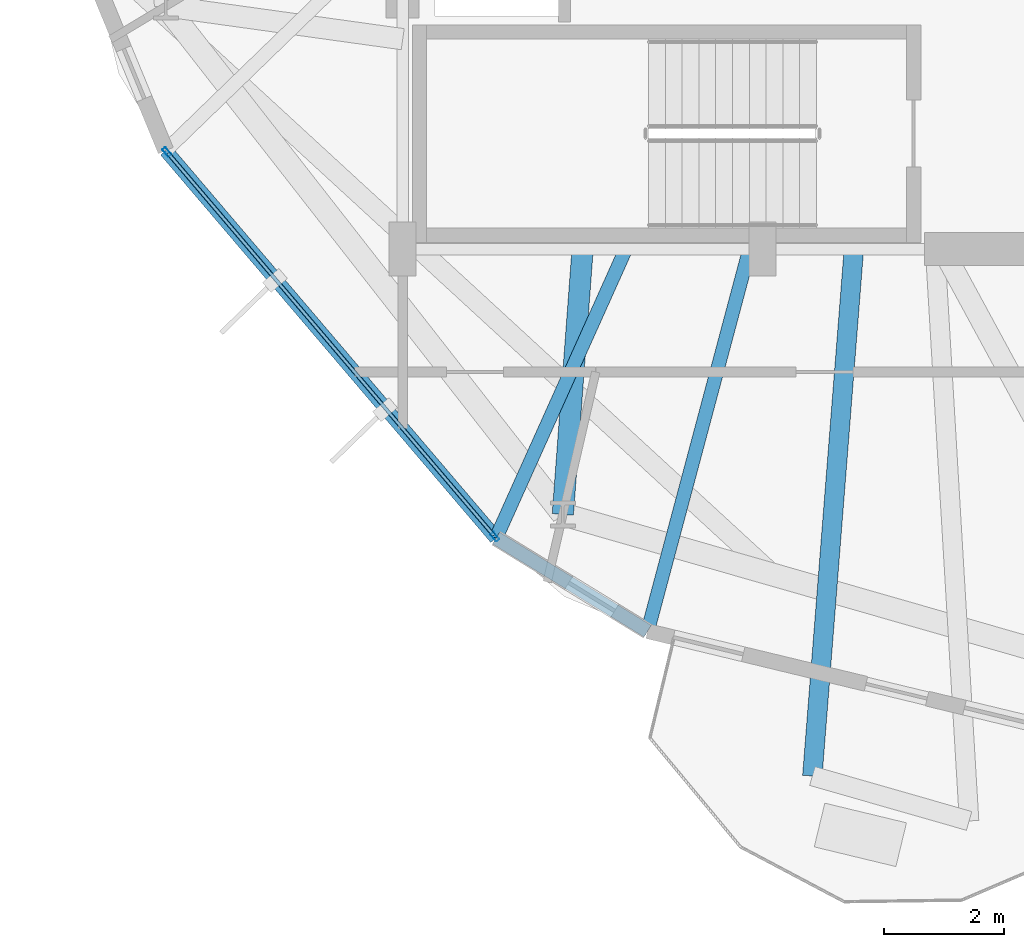
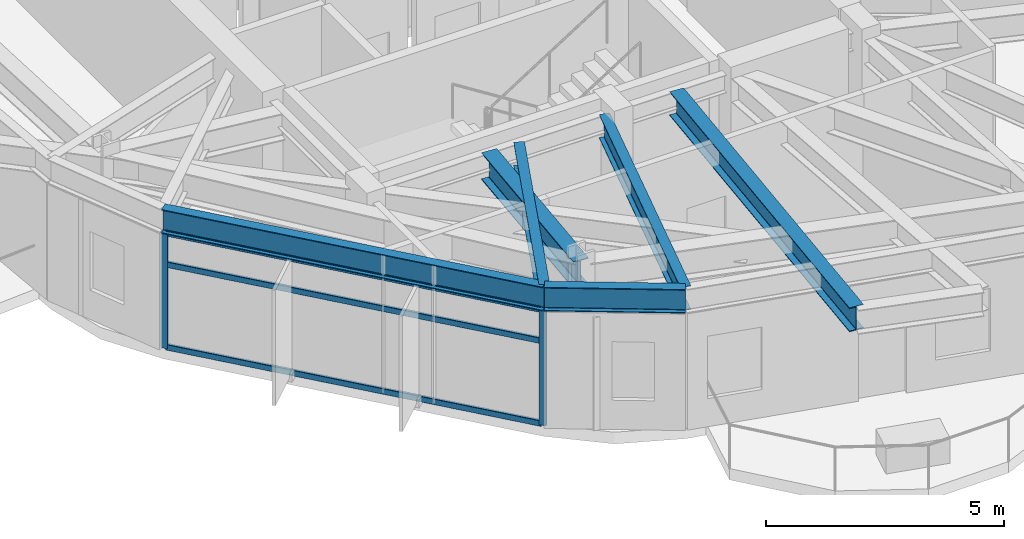
# One storey, part 2 of 21: 6 beams, 5 members, 1 element without a shape of its own.
"""IFC4 building model written with IfcOpenShell, lengths in metres."""

from ifc_helpers import new_model, si_unit, direction, frame, origin, origin_2d, place, context, subcontext, project, spatial, hollow_rectangle, i_section, extrude, material, layer, layer_set, material_profile, profile_set, type_object, element, aggregate, save


model = new_model("IFC4")

# Units and contexts
model_context = context("Model", 3, precision=1e-05, world=origin(), true_north=direction((0.0, 1.0)))
body_context = subcontext(model_context, "Body", "Model", "MODEL_VIEW")
ifc_project = project(units=[si_unit("LENGTHUNIT", "METRE"), si_unit("AREAUNIT", "SQUARE_METRE"), si_unit("VOLUMEUNIT", "CUBIC_METRE"), si_unit("PLANEANGLEUNIT", "RADIAN"), si_unit("MASSUNIT", "GRAM", prefix="KILO")], contexts=[model_context])

# Site, building, storey
site_placement = place(None, origin())
site = spatial("IfcSite", under=ifc_project, at=site_placement, CompositionType="ELEMENT")
building_placement = place(site_placement, origin())
building = spatial("IfcBuilding", under=site, at=building_placement, Name="Soratama Intermodal Tower", CompositionType="ELEMENT")
storey_placement = place(building_placement, frame((0.0, 0.0, 114.699951171875)))
storey = spatial("IfcBuildingStorey", under=building, at=storey_placement, Name="L27", CompositionType="ELEMENT", Elevation=114.699951171875)

# Beams
ifc_material_1 = material(Name="Structural steel ASTM A992 Grade 50", Category="steel")
ifc_material_profile_1 = material_profile(ifc_material_1, i_section(OverallWidth=0.324951171875, OverallDepth=0.615966796875, WebThickness=0.013916015625, FlangeThickness=0.021484375, FilletRadius=0.013916015625, at=origin_2d()), Name="W24X117")
ifc_profile_set_1 = profile_set([ifc_material_profile_1], Name="Structural steel ASTM A992 Grade 50")
beam_type_1 = type_object("IfcBeamType", Name="BM-CANT-W24X117", PredefinedType="BEAM", material=ifc_profile_set_1)
beam_1_placement = place(storey_placement, frame((40.12109375, 14.9599609375, 3.2919921875), z_axis=(-0.078651552522, -0.996902168363, 0.0), x_axis=(0.996902168363, -0.078651552522, 0.0)))
element("IfcBeam", 1, at=beam_1_placement, inside=storey, type_object=beam_type_1, Name="BM-L27-CANT-3-1", PredefinedType="BEAM", context=body_context, shape_type="SweptSolid", body=[
    extrude(i_section(OverallWidth=0.324951171875, OverallDepth=0.615966796875, WebThickness=0.013916015625, FlangeThickness=0.021484375, FilletRadius=0.013916015625, at=origin_2d()), origin(), (0.0, 0.0, 1.0), 8.775146484375),
])
ifc_material_2 = material(Name="Structural steel ASTM A992 Grade 50", Category="steel")
ifc_material_profile_2 = material_profile(ifc_material_2, i_section(OverallWidth=0.35498046875, OverallDepth=0.695068359375, WebThickness=0.015380859375, FlangeThickness=0.02490234375, FilletRadius=0.01611328125, at=origin_2d()), Name="W27X146")
ifc_profile_set_2 = profile_set([ifc_material_profile_2], Name="Structural steel ASTM A992 Grade 50")
beam_type_2 = type_object("IfcBeamType", Name="BM-RING-W27X146", PredefinedType="BEAM", material=ifc_profile_set_2)
beam_2_placement = place(storey_placement, frame((35.60009765625, 15.0, 3.25244140625), z_axis=(-0.074386442563, -0.997229490721, 0.0), x_axis=(0.997229490721, -0.074386442563, 0.0)))
element("IfcBeam", 2, at=beam_2_placement, inside=storey, type_object=beam_type_2, Name="BM-L27-RAD-07", PredefinedType="BEAM", context=body_context, shape_type="SweptSolid", body=[
    extrude(i_section(OverallWidth=0.35498046875, OverallDepth=0.695068359375, WebThickness=0.015380859375, FlangeThickness=0.02490234375, FilletRadius=0.01611328125, at=origin_2d()), origin(), (0.0, 0.0, 1.0), 4.437255859375),
])
ifc_material_3 = material(Name="Structural steel ASTM A992 Grade 50", Category="steel")
ifc_material_profile_3 = material_profile(ifc_material_3, i_section(OverallWidth=0.22900390625, OverallDepth=0.612060546875, WebThickness=0.011962890625, FlangeThickness=0.01953125, FilletRadius=0.012939453125, at=origin_2d()), Name="W24X84")
ifc_profile_set_3 = profile_set([ifc_material_profile_3], Name="Structural steel ASTM A992 Grade 50")
beam_type_3 = type_object("IfcBeamType", Name="BM-SPN-W24X84", PredefinedType="SPANDREL", material=ifc_profile_set_3)
beam_3_placement = place(storey_placement, frame((28.64892578125, 16.64208984375, 3.2939453125), z_axis=(0.648621964834, -0.761110732243, 0.0), x_axis=(0.761110732243, 0.648621964834, 0.0)))
element("IfcBeam", 3, at=beam_3_placement, inside=storey, type_object=beam_type_3, Name="BS-L27-F06", PredefinedType="SPANDREL", context=body_context, shape_type="SweptSolid", body=[
    extrude(i_section(OverallWidth=0.22900390625, OverallDepth=0.612060546875, WebThickness=0.011962890625, FlangeThickness=0.01953125, FilletRadius=0.012939453125, at=origin_2d()), origin(), (0.0, 0.0, 1.0), 8.490478515625),
])
beam_4_placement = place(storey_placement, frame((34.156005859375, 10.179931640625, 3.2939453125), z_axis=(0.852073364942, -0.523422373191, 0.0), x_axis=(0.523422373191, 0.852073364942, 0.0)))
element("IfcBeam", 4, at=beam_4_placement, inside=storey, type_object=beam_type_3, Name="BS-L27-CRN06", PredefinedType="SPANDREL", context=body_context, shape_type="SweptSolid", body=[
    extrude(i_section(OverallWidth=0.22900390625, OverallDepth=0.612060546875, WebThickness=0.011962890625, FlangeThickness=0.01953125, FilletRadius=0.012939453125, at=origin_2d()), origin(), (0.0, 0.0, 1.0), 2.967041015625),
])
ifc_material_4 = material(Name="Structural steel ASTM A992 Grade 50", Category="steel")
ifc_material_profile_4 = material_profile(ifc_material_4, i_section(OverallWidth=0.22900390625, OverallDepth=0.612060546875, WebThickness=0.011962890625, FlangeThickness=0.01953125, FilletRadius=0.012939453125, at=origin_2d()), Name="W24X84")
ifc_profile_set_4 = profile_set([ifc_material_profile_4], Name="Structural steel ASTM A992 Grade 50")
beam_type_4 = type_object("IfcBeamType", Name="BM-TIE-W24X84", PredefinedType="BEAM", material=ifc_profile_set_4)
beam_5_placement = place(storey_placement, frame((36.304931640625, 14.964111328125, 3.2939453125), z_axis=(-0.409737455124, -0.912203495865, 0.0), x_axis=(0.912203495865, -0.409737455124, 0.0)))
element("IfcBeam", 5, at=beam_5_placement, inside=storey, type_object=beam_type_4, Name="BM-L27-TIE1-06", PredefinedType="BEAM", context=body_context, shape_type="SweptSolid", body=[
    extrude(i_section(OverallWidth=0.22900390625, OverallDepth=0.612060546875, WebThickness=0.011962890625, FlangeThickness=0.01953125, FilletRadius=0.012939453125, at=origin_2d()), origin(), (0.0, 0.0, 1.0), 5.24462890625),
])
beam_6_placement = place(storey_placement, frame((38.373046875, 14.9609375, 3.2939453125), z_axis=(-0.257648742269, -0.966238648372, 0.0), x_axis=(0.966238648372, -0.257648742269, 0.0)))
element("IfcBeam", 6, at=beam_6_placement, inside=storey, type_object=beam_type_4, Name="BM-L27-TIE0-07", PredefinedType="BEAM", context=body_context, shape_type="SweptSolid", body=[
    extrude(i_section(OverallWidth=0.22900390625, OverallDepth=0.612060546875, WebThickness=0.011962890625, FlangeThickness=0.01953125, FilletRadius=0.012939453125, at=origin_2d()), origin(), (0.0, 0.0, 1.0), 6.555419921875),
])

# Curtain wall, members
ifc_material_5 = material(Name="Double-glazed aluminium curtain wall", Category="aluminium")
ifc_layer = layer(ifc_material_5, 0.159912109375)
ifc_layer_set = layer_set([ifc_layer], Name="Double-glazed aluminium curtain wall")
curtain_wall_type = type_object("IfcCurtainWallType", Name="CW-SYS-3", PredefinedType="NOTDEFINED", material=ifc_layer_set)
curtain_wall_placement = place(storey_placement, origin())
curtain_wall = element("IfcCurtainWall", 7, at=curtain_wall_placement, inside=storey, type_object=curtain_wall_type, Name="L27 Faceted Curtain Wall F06", PredefinedType="NOTDEFINED")
ifc_material_6 = material(Name="Anodised aluminium AA 6063-T6", Category="aluminium")
ifc_material_profile_5 = material_profile(ifc_material_6, hollow_rectangle(XDim=0.070068359375, YDim=0.159912109375, WallThickness=0.0048828125, InnerFilletRadius=0.0048828125, OuterFilletRadius=0.010009765625, at=origin_2d()), Name="CWM160X70X5")
ifc_profile_set_5 = profile_set([ifc_material_profile_5], Name="Anodised aluminium AA 6063-T6")
member_type_1 = type_object("IfcMemberType", Name="MT-CWM-3", PredefinedType="MULLION", material=ifc_profile_set_5)
member_1_placement = place(storey_placement, frame((28.66796875, 16.619384765625, 0.0), z_axis=(0.0, 0.0, 1.0), x_axis=(0.761087528491, 0.648649191763, 0.0)))
member_1 = element("IfcMember", 8, at=member_1_placement, type_object=member_type_1, Name="CW-3 mullion 1", PredefinedType="MULLION", context=body_context, shape_type="SweptSolid", body=[
    extrude(hollow_rectangle(XDim=0.070068359375, YDim=0.159912109375, WallThickness=0.0048828125, InnerFilletRadius=0.0048828125, OuterFilletRadius=0.010009765625, at=origin_2d()), origin(), (0.0, 0.0, 1.0), 2.97900390625),
])
member_2_placement = place(storey_placement, frame((34.13671875, 10.202880859375, 0.0), z_axis=(0.0, 0.0, 1.0), x_axis=(0.761087528491, 0.648649191763, 0.0)))
member_2 = element("IfcMember", 9, at=member_2_placement, type_object=member_type_1, Name="CW-3 mullion 2", PredefinedType="MULLION", context=body_context, shape_type="SweptSolid", body=[
    extrude(hollow_rectangle(XDim=0.070068359375, YDim=0.159912109375, WallThickness=0.0048828125, InnerFilletRadius=0.0048828125, OuterFilletRadius=0.010009765625, at=origin_2d()), origin(), (0.0, 0.0, 1.0), 2.97900390625),
])
ifc_material_7 = material(Name="Anodised aluminium AA 6063-T6", Category="aluminium")
ifc_material_profile_6 = material_profile(ifc_material_7, hollow_rectangle(XDim=0.06494140625, YDim=0.14990234375, WallThickness=0.0048828125, InnerFilletRadius=0.0048828125, OuterFilletRadius=0.010009765625, at=origin_2d()), Name="CWT150X65X5")
ifc_profile_set_6 = profile_set([ifc_material_profile_6], Name="Anodised aluminium AA 6063-T6")
member_type_2 = type_object("IfcMemberType", Name="TT-CWT-1", PredefinedType="USERDEFINED", material=ifc_profile_set_6)
member_3_placement = place(storey_placement, frame((28.6875, 16.5966796875, 0.030029296875), z_axis=(0.648636701785, -0.761098173101, 0.0), x_axis=(0.761098173101, 0.648636701785, 0.0)))
member_3 = element("IfcMember", 10, at=member_3_placement, type_object=member_type_2, Name="CW-3 transom 1.1", ObjectType="TRANSOM", PredefinedType="USERDEFINED", context=body_context, shape_type="SweptSolid", body=[
    extrude(hollow_rectangle(XDim=0.06494140625, YDim=0.14990234375, WallThickness=0.0048828125, InnerFilletRadius=0.0048828125, OuterFilletRadius=0.010009765625, at=origin_2d()), origin(), (0.0, 0.0, 1.0), 8.370849609375),
])
member_4_placement = place(storey_placement, frame((28.6875, 16.5966796875, 2.150146484375), z_axis=(0.648636701785, -0.761098173101, 0.0), x_axis=(0.761098173101, 0.648636701785, 0.0)))
member_4 = element("IfcMember", 11, at=member_4_placement, type_object=member_type_2, Name="CW-3 transom 1.2", ObjectType="TRANSOM", PredefinedType="USERDEFINED", context=body_context, shape_type="SweptSolid", body=[
    extrude(hollow_rectangle(XDim=0.06494140625, YDim=0.14990234375, WallThickness=0.0048828125, InnerFilletRadius=0.0048828125, OuterFilletRadius=0.010009765625, at=origin_2d()), origin(), (0.0, 0.0, 1.0), 8.370849609375),
])
member_5_placement = place(storey_placement, frame((28.6875, 16.5966796875, 2.948974609375), z_axis=(0.648636701785, -0.761098173101, 0.0), x_axis=(0.761098173101, 0.648636701785, 0.0)))
member_5 = element("IfcMember", 12, at=member_5_placement, type_object=member_type_2, Name="CW-3 transom 1.3", ObjectType="TRANSOM", PredefinedType="USERDEFINED", context=body_context, shape_type="SweptSolid", body=[
    extrude(hollow_rectangle(XDim=0.06494140625, YDim=0.14990234375, WallThickness=0.0048828125, InnerFilletRadius=0.0048828125, OuterFilletRadius=0.010009765625, at=origin_2d()), origin(), (0.0, 0.0, 1.0), 8.370849609375),
])
aggregate(curtain_wall, [member_1, member_2, member_3, member_4, member_5])

save(model, "model.ifc")
